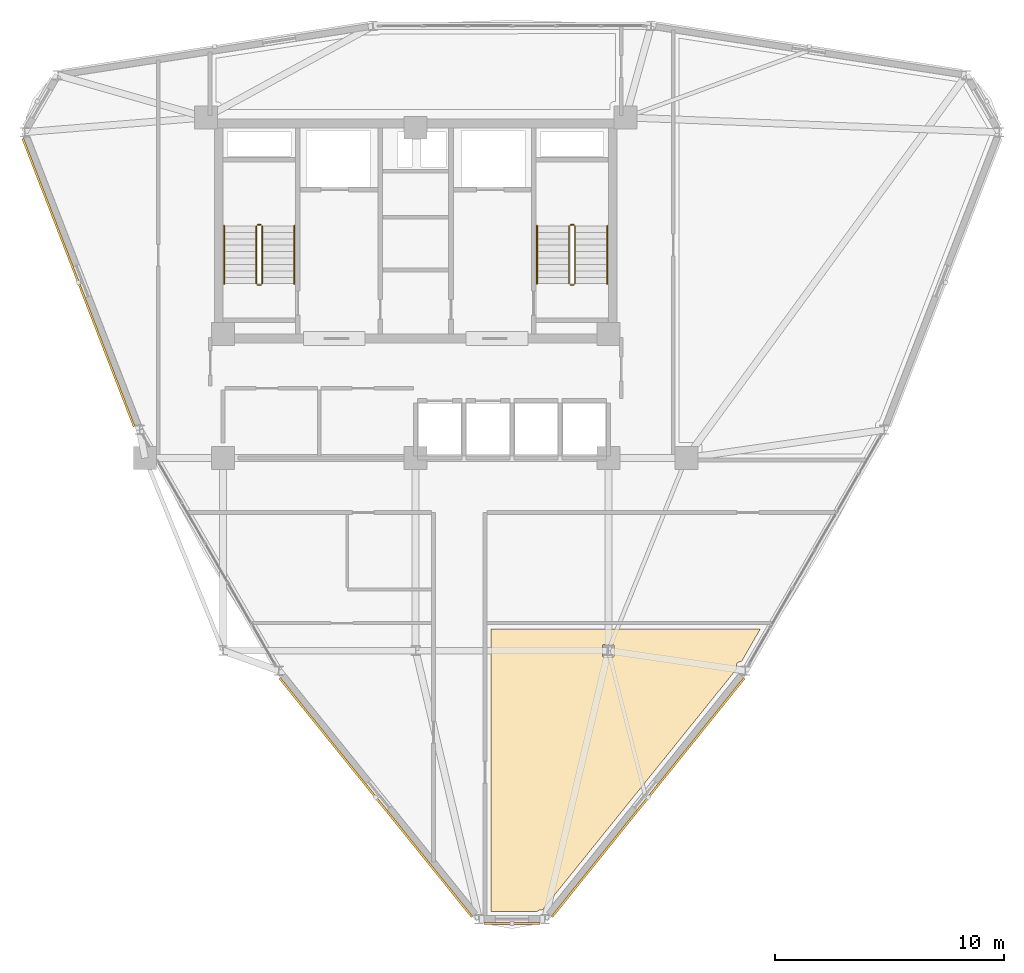
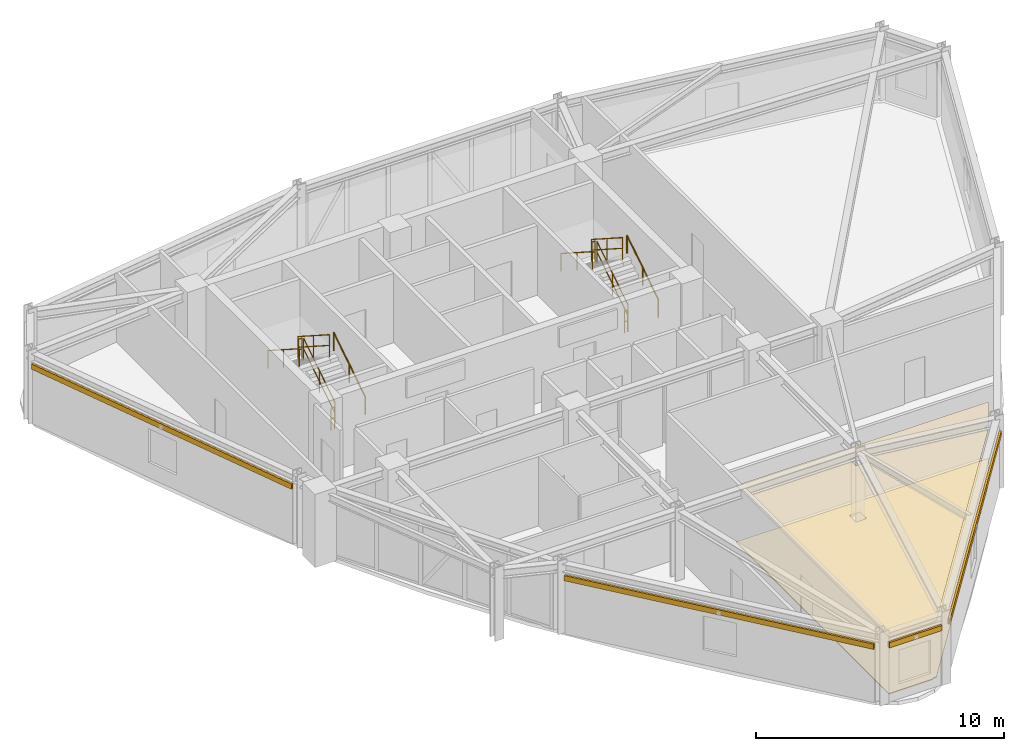
# One storey, part 15 of 16: 12 railings, 4 shading devices, 2 coverings.
"""IFC4 building model written with IfcOpenShell, lengths in metres."""

from ifc_helpers import new_model, si_unit, derived_unit, direction, frame, origin, origin_2d, place, context, subcontext, project, spatial, polyline, hollow_rectangle, circle, outline, extrude, source, transform, mapped, material, layer, layer_set, material_profile, profile_set, type_object, element, save


model = new_model("IFC4")

# Units and contexts
model_context = context("Model", 3, precision=1e-05, world=origin(), true_north=direction((0.0, 1.0)))
body_context = subcontext(model_context, "Body", "Model", "MODEL_VIEW")
ifc_project = project(units=[si_unit("LENGTHUNIT", "METRE"), si_unit("AREAUNIT", "SQUARE_METRE"), si_unit("VOLUMEUNIT", "CUBIC_METRE"), si_unit("PLANEANGLEUNIT", "RADIAN"), si_unit("MASSUNIT", "GRAM", prefix="KILO"), derived_unit("THERMALTRANSMITTANCEUNIT", [(si_unit("POWERUNIT", "WATT"), 1), (si_unit("LENGTHUNIT", "METRE"), -2), (si_unit("THERMODYNAMICTEMPERATUREUNIT", "KELVIN"), -1)])], contexts=[model_context])

# Site, building, storey
site_placement = place(None, origin())
site = spatial("IfcSite", under=ifc_project, at=site_placement, CompositionType="ELEMENT")
building_placement = place(site_placement, origin())
building = spatial("IfcBuilding", under=site, at=building_placement, Name="Korsvarv Bourse and Concert Hall", CompositionType="ELEMENT")
storey_placement = place(building_placement, frame((0.0, 0.0, 231.0)))
storey = spatial("IfcBuildingStorey", under=building, at=storey_placement, Name="L60", CompositionType="ELEMENT", Elevation=231.0)

# Coverings
ifc_material_1 = material(Name="Perforated mineral-wool and birch acoustic baffle ceiling", Category="wood")
ifc_layer_1 = layer(ifc_material_1, 0.02490234375)
ifc_layer_set_1 = layer_set([ifc_layer_1], Name="Perforated mineral-wool and birch acoustic baffle ceiling")
covering_type_1 = type_object("IfcCoveringType", Name="COV-CEIL-1", PredefinedType="CEILING", material=ifc_layer_set_1)
covering_1_placement = place(storey_placement, frame((0.0, 0.0, 2.7900390625)))
element("IfcCovering", 1, at=covering_1_placement, inside=storey, type_object=covering_type_1, Name="L60 acoustic baffle ceiling 2", PredefinedType="CEILING", context=body_context, shape_type="SweptSolid", body=[
    extrude(outline(polyline([(51.026611328125, 24.949951171875), (50.20556640625, 23.52783203125), (50.165283203125, 23.52783203125), (50.131103515625, 23.5244140625), (50.09814453125, 23.514892578125), (50.06787109375, 23.4990234375), (50.040771484375, 23.477783203125), (50.018310546875, 23.451904296875), (50.00146484375, 23.422119140625), (49.990234375, 23.3896484375), (49.985595703125, 23.355712890625), (49.97802734375, 23.1875), (41.5224609375, 12.694091796875), (41.435302734375, 12.694091796875), (41.399658203125, 12.6904296875), (41.365234375, 12.679931640625), (41.333740234375, 12.66259765625), (41.306396484375, 12.639404296875), (39.280029296875, 12.635986328125), (39.280029296875, 24.949951171875), (51.026611328125, 24.949951171875)]), holes=[polyline([(44.179443359375, 23.734619140625), (44.60595703125, 23.732421875), (44.629638671875, 23.73828125), (44.647705078125, 23.754638671875), (44.65576171875, 23.777587890625), (44.656005859375, 24.217529296875), (44.650146484375, 24.2412109375), (44.6337890625, 24.259033203125), (44.61083984375, 24.267333984375), (44.194091796875, 24.267578125), (44.17041015625, 24.26171875), (44.15234375, 24.245361328125), (44.144287109375, 24.222412109375), (44.14404296875, 23.782470703125), (44.14990234375, 23.7587890625), (44.179443359375, 23.734619140625)])]), origin(), (0.0, 0.0, 1.0), 0.02490234375),
])
ifc_material_2 = material(Name="Calcium-sulphate raised access trading floor with Nordic oak top", Category="wood")
ifc_layer_2 = layer(ifc_material_2, 0.0400390625)
ifc_layer_set_2 = layer_set([ifc_layer_2], Name="Calcium-sulphate raised access trading floor with Nordic oak top")
covering_type_2 = type_object("IfcCoveringType", Name="COV-FLOR-1", PredefinedType="FLOORING", material=ifc_layer_set_2)
covering_2_placement = place(storey_placement, origin())
element("IfcCovering", 2, at=covering_2_placement, inside=storey, type_object=covering_type_2, Name="L60 raised access oak floor finish 2", PredefinedType="FLOORING", context=body_context, shape_type="SweptSolid", body=[
    extrude(outline(polyline([(51.026611328125, 24.949951171875), (50.20556640625, 23.52783203125), (50.165283203125, 23.52783203125), (50.131103515625, 23.5244140625), (50.09814453125, 23.514892578125), (50.06787109375, 23.4990234375), (50.040771484375, 23.477783203125), (50.018310546875, 23.451904296875), (50.00146484375, 23.422119140625), (49.990234375, 23.3896484375), (49.985595703125, 23.355712890625), (49.97802734375, 23.1875), (41.5224609375, 12.694091796875), (41.435302734375, 12.694091796875), (41.399658203125, 12.6904296875), (41.365234375, 12.679931640625), (41.333740234375, 12.66259765625), (41.306396484375, 12.639404296875), (39.280029296875, 12.635986328125), (39.280029296875, 24.949951171875), (51.026611328125, 24.949951171875)]), holes=[polyline([(44.179443359375, 23.734619140625), (44.60595703125, 23.732421875), (44.629638671875, 23.73828125), (44.647705078125, 23.754638671875), (44.65576171875, 23.777587890625), (44.656005859375, 24.217529296875), (44.650146484375, 24.2412109375), (44.6337890625, 24.259033203125), (44.61083984375, 24.267333984375), (44.194091796875, 24.267578125), (44.17041015625, 24.26171875), (44.15234375, 24.245361328125), (44.144287109375, 24.222412109375), (44.14404296875, 23.782470703125), (44.14990234375, 23.7587890625), (44.179443359375, 23.734619140625)])]), origin(), (0.0, 0.0, 1.0), 0.0400390625),
])

# Railings
ifc_material_3 = material(Name="Painted Steel S355 stair well guardrail", Category="steel")
railing_type_1 = type_object("IfcRailingType", Name="RL-ST-GRD", PredefinedType="GUARDRAIL", material=ifc_material_3)
railing_1_placement = place(storey_placement, frame((29.31005859375, 40.0, 0.179931640625)))
element("IfcRailing", 3, at=railing_1_placement, inside=storey, type_object=railing_type_1, Name="L60 ST-T1 stair guard 1", PredefinedType="GUARDRAIL", context=body_context, shape_type="SweptSolid", body=[
    extrude(circle(Radius=0.02392578125, at=origin_2d()), frame((0.0, 0.0, 1.076171875), z_axis=(0.0, 0.841162588446, 0.540782303519), x_axis=(-1.0, 0.0, 0.0)), (0.0, 0.0, 1.0), 2.995849609375),
    extrude(circle(Radius=0.02392578125, at=origin_2d()), frame((0.0, 0.0, 0.550048828125), z_axis=(0.0, 0.841162588446, 0.540782303519), x_axis=(-1.0, 0.0, 0.0)), (0.0, 0.0, 1.0), 2.995849609375),
    extrude(circle(Radius=0.02099609375, at=origin_2d()), origin(), (0.0, 0.0, 1.0), 1.052001953125),
    extrude(circle(Radius=0.02099609375, at=origin_2d()), frame((0.0, 1.260009765625, 0.81005859375)), (0.0, 0.0, 1.0), 1.052001953125),
    extrude(circle(Radius=0.02099609375, at=origin_2d()), frame((0.0, 2.52001953125, 1.6201171875)), (0.0, 0.0, 1.0), 1.052001953125),
])
railing_2_placement = place(storey_placement, frame((29.260009765625, 42.570068359375, 1.800048828125)))
element("IfcRailing", 4, at=railing_2_placement, inside=storey, type_object=railing_type_1, Name="L60 ST-T1 stair guard 2", PredefinedType="GUARDRAIL", context=body_context, shape_type="SweptSolid", body=[
    extrude(circle(Radius=0.02392578125, at=origin_2d()), frame((0.0, 0.0, 1.076171875), z_axis=(-1.0, 0.0, 0.0), x_axis=(0.0, -1.0, 0.0)), (0.0, 0.0, 1.0), 0.159912109375),
    extrude(circle(Radius=0.02392578125, at=origin_2d()), frame((0.0, 0.0, 0.550048828125), z_axis=(-1.0, 0.0, 0.0), x_axis=(0.0, -1.0, 0.0)), (0.0, 0.0, 1.0), 0.159912109375),
    extrude(circle(Radius=0.02099609375, at=origin_2d()), origin(), (0.0, 0.0, 1.0), 1.052001953125),
    extrude(circle(Radius=0.02099609375, at=origin_2d()), frame((-0.159912109375, 0.0, 0.0)), (0.0, 0.0, 1.0), 1.052001953125),
])
railing_3_placement = place(storey_placement, frame((29.050048828125, 42.52001953125, 1.97998046875)))
element("IfcRailing", 5, at=railing_3_placement, inside=storey, type_object=railing_type_1, Name="L60 ST-T1 stair guard 3", PredefinedType="GUARDRAIL", context=body_context, shape_type="SweptSolid", body=[
    extrude(circle(Radius=0.02392578125, at=origin_2d()), frame((0.0, 0.0, 1.076171875), z_axis=(0.0, -0.841162588446, 0.540782303519), x_axis=(1.0, 0.0, 0.0)), (0.0, 0.0, 1.0), 2.995849609375),
    extrude(circle(Radius=0.02392578125, at=origin_2d()), frame((0.0, 0.0, 0.550048828125), z_axis=(0.0, -0.841162588446, 0.540782303519), x_axis=(1.0, 0.0, 0.0)), (0.0, 0.0, 1.0), 2.995849609375),
    extrude(circle(Radius=0.02099609375, at=origin_2d()), origin(), (0.0, 0.0, 1.0), 1.052001953125),
    extrude(circle(Radius=0.02099609375, at=origin_2d()), frame((0.0, -1.260009765625, 0.81005859375)), (0.0, 0.0, 1.0), 1.052001953125),
    extrude(circle(Radius=0.02099609375, at=origin_2d()), frame((0.0, -2.52001953125, 1.6201171875)), (0.0, 0.0, 1.0), 1.052001953125),
])
railing_4_placement = place(storey_placement, frame((29.260009765625, 39.949951171875, 0.0)))
element("IfcRailing", 6, at=railing_4_placement, inside=storey, type_object=railing_type_1, Name="L60 ST-T1 stair guard 4", PredefinedType="GUARDRAIL", context=body_context, shape_type="SweptSolid", body=[
    extrude(circle(Radius=0.02392578125, at=origin_2d()), frame((0.0, 0.0, 1.076171875), z_axis=(-1.0, 0.0, 0.0), x_axis=(0.0, -1.0, 0.0)), (0.0, 0.0, 1.0), 0.159912109375),
    extrude(circle(Radius=0.02392578125, at=origin_2d()), frame((0.0, 0.0, 0.550048828125), z_axis=(-1.0, 0.0, 0.0), x_axis=(0.0, -1.0, 0.0)), (0.0, 0.0, 1.0), 0.159912109375),
    extrude(circle(Radius=0.02099609375, at=origin_2d()), origin(), (0.0, 0.0, 1.0), 1.052001953125),
    extrude(circle(Radius=0.02099609375, at=origin_2d()), frame((-0.159912109375, 0.0, 0.0)), (0.0, 0.0, 1.0), 1.052001953125),
])
railing_5_placement = place(storey_placement, frame((42.949951171875, 40.0, 0.179931640625)))
element("IfcRailing", 7, at=railing_5_placement, inside=storey, type_object=railing_type_1, Name="L60 ST-T2 stair guard 1", PredefinedType="GUARDRAIL", context=body_context, shape_type="SweptSolid", body=[
    extrude(circle(Radius=0.02392578125, at=origin_2d()), frame((0.0, 0.0, 1.076171875), z_axis=(0.0, 0.841162588446, 0.540782303519), x_axis=(-1.0, 0.0, 0.0)), (0.0, 0.0, 1.0), 2.995849609375),
    extrude(circle(Radius=0.02392578125, at=origin_2d()), frame((0.0, 0.0, 0.550048828125), z_axis=(0.0, 0.841162588446, 0.540782303519), x_axis=(-1.0, 0.0, 0.0)), (0.0, 0.0, 1.0), 2.995849609375),
    extrude(circle(Radius=0.02099609375, at=origin_2d()), origin(), (0.0, 0.0, 1.0), 1.052001953125),
    extrude(circle(Radius=0.02099609375, at=origin_2d()), frame((0.0, 1.260009765625, 0.81005859375)), (0.0, 0.0, 1.0), 1.052001953125),
    extrude(circle(Radius=0.02099609375, at=origin_2d()), frame((0.0, 2.52001953125, 1.6201171875)), (0.0, 0.0, 1.0), 1.052001953125),
])
railing_6_placement = place(storey_placement, frame((42.89990234375, 42.570068359375, 1.800048828125)))
element("IfcRailing", 8, at=railing_6_placement, inside=storey, type_object=railing_type_1, Name="L60 ST-T2 stair guard 2", PredefinedType="GUARDRAIL", context=body_context, shape_type="SweptSolid", body=[
    extrude(circle(Radius=0.02392578125, at=origin_2d()), frame((0.0, 0.0, 1.076171875), z_axis=(-1.0, 0.0, 0.0), x_axis=(0.0, -1.0, 0.0)), (0.0, 0.0, 1.0), 0.159912109375),
    extrude(circle(Radius=0.02392578125, at=origin_2d()), frame((0.0, 0.0, 0.550048828125), z_axis=(-1.0, 0.0, 0.0), x_axis=(0.0, -1.0, 0.0)), (0.0, 0.0, 1.0), 0.159912109375),
    extrude(circle(Radius=0.02099609375, at=origin_2d()), origin(), (0.0, 0.0, 1.0), 1.052001953125),
    extrude(circle(Radius=0.02099609375, at=origin_2d()), frame((-0.159912109375, 0.0, 0.0)), (0.0, 0.0, 1.0), 1.052001953125),
])
railing_7_placement = place(storey_placement, frame((42.68994140625, 42.52001953125, 1.97998046875)))
element("IfcRailing", 9, at=railing_7_placement, inside=storey, type_object=railing_type_1, Name="L60 ST-T2 stair guard 3", PredefinedType="GUARDRAIL", context=body_context, shape_type="SweptSolid", body=[
    extrude(circle(Radius=0.02392578125, at=origin_2d()), frame((0.0, 0.0, 1.076171875), z_axis=(0.0, -0.841162588446, 0.540782303519), x_axis=(1.0, 0.0, 0.0)), (0.0, 0.0, 1.0), 2.995849609375),
    extrude(circle(Radius=0.02392578125, at=origin_2d()), frame((0.0, 0.0, 0.550048828125), z_axis=(0.0, -0.841162588446, 0.540782303519), x_axis=(1.0, 0.0, 0.0)), (0.0, 0.0, 1.0), 2.995849609375),
    extrude(circle(Radius=0.02099609375, at=origin_2d()), origin(), (0.0, 0.0, 1.0), 1.052001953125),
    extrude(circle(Radius=0.02099609375, at=origin_2d()), frame((0.0, -1.260009765625, 0.81005859375)), (0.0, 0.0, 1.0), 1.052001953125),
    extrude(circle(Radius=0.02099609375, at=origin_2d()), frame((0.0, -2.52001953125, 1.6201171875)), (0.0, 0.0, 1.0), 1.052001953125),
])
railing_8_placement = place(storey_placement, frame((42.89990234375, 39.949951171875, 0.0)))
element("IfcRailing", 10, at=railing_8_placement, inside=storey, type_object=railing_type_1, Name="L60 ST-T2 stair guard 4", PredefinedType="GUARDRAIL", context=body_context, shape_type="SweptSolid", body=[
    extrude(circle(Radius=0.02392578125, at=origin_2d()), frame((0.0, 0.0, 1.076171875), z_axis=(-1.0, 0.0, 0.0), x_axis=(0.0, -1.0, 0.0)), (0.0, 0.0, 1.0), 0.159912109375),
    extrude(circle(Radius=0.02392578125, at=origin_2d()), frame((0.0, 0.0, 0.550048828125), z_axis=(-1.0, 0.0, 0.0), x_axis=(0.0, -1.0, 0.0)), (0.0, 0.0, 1.0), 0.159912109375),
    extrude(circle(Radius=0.02099609375, at=origin_2d()), origin(), (0.0, 0.0, 1.0), 1.052001953125),
    extrude(circle(Radius=0.02099609375, at=origin_2d()), frame((-0.159912109375, 0.0, 0.0)), (0.0, 0.0, 1.0), 1.052001953125),
])
ifc_material_4 = material(Name="Brushed stainless Steel S355 tubular handrail", Category="steel")
railing_type_2 = type_object("IfcRailingType", Name="RL-ST-HND", PredefinedType="HANDRAIL", material=ifc_material_4)
railing_9_placement = place(storey_placement, frame((30.7099609375, 40.0, 0.179931640625)))
element("IfcRailing", 11, at=railing_9_placement, inside=storey, type_object=railing_type_2, Name="L60 ST-T1 stair handrail 1", PredefinedType="HANDRAIL", context=body_context, shape_type="SweptSolid", body=[
    extrude(circle(Radius=0.02392578125, at=origin_2d()), frame((0.0, 0.0, 0.8759765625), z_axis=(0.0, 0.841162588446, 0.540782303519), x_axis=(-1.0, 0.0, 0.0)), (0.0, 0.0, 1.0), 2.995849609375),
    extrude(circle(Radius=0.02099609375, at=origin_2d()), origin(), (0.0, 0.0, 1.0), 0.851806640625),
    extrude(circle(Radius=0.02099609375, at=origin_2d()), frame((0.0, 1.260009765625, 0.81005859375)), (0.0, 0.0, 1.0), 0.851806640625),
    extrude(circle(Radius=0.02099609375, at=origin_2d()), frame((0.0, 2.52001953125, 1.6201171875)), (0.0, 0.0, 1.0), 0.851806640625),
])
railing_10_placement = place(storey_placement, frame((27.64990234375, 42.52001953125, 1.97998046875)))
element("IfcRailing", 12, at=railing_10_placement, inside=storey, type_object=railing_type_2, Name="L60 ST-T1 stair handrail 2", PredefinedType="HANDRAIL", context=body_context, shape_type="SweptSolid", body=[
    extrude(circle(Radius=0.02392578125, at=origin_2d()), frame((0.0, 0.0, 0.8759765625), z_axis=(0.0, -0.841162588446, 0.540782303519), x_axis=(1.0, 0.0, 0.0)), (0.0, 0.0, 1.0), 2.995849609375),
    extrude(circle(Radius=0.02099609375, at=origin_2d()), origin(), (0.0, 0.0, 1.0), 0.851806640625),
    extrude(circle(Radius=0.02099609375, at=origin_2d()), frame((0.0, -1.260009765625, 0.81005859375)), (0.0, 0.0, 1.0), 0.851806640625),
    extrude(circle(Radius=0.02099609375, at=origin_2d()), frame((0.0, -2.52001953125, 1.6201171875)), (0.0, 0.0, 1.0), 0.851806640625),
])
railing_11_placement = place(storey_placement, frame((44.35009765625, 40.0, 0.179931640625)))
element("IfcRailing", 13, at=railing_11_placement, inside=storey, type_object=railing_type_2, Name="L60 ST-T2 stair handrail 1", PredefinedType="HANDRAIL", context=body_context, shape_type="SweptSolid", body=[
    extrude(circle(Radius=0.02392578125, at=origin_2d()), frame((0.0, 0.0, 0.8759765625), z_axis=(0.0, 0.841162588446, 0.540782303519), x_axis=(-1.0, 0.0, 0.0)), (0.0, 0.0, 1.0), 2.995849609375),
    extrude(circle(Radius=0.02099609375, at=origin_2d()), origin(), (0.0, 0.0, 1.0), 0.851806640625),
    extrude(circle(Radius=0.02099609375, at=origin_2d()), frame((0.0, 1.260009765625, 0.81005859375)), (0.0, 0.0, 1.0), 0.851806640625),
    extrude(circle(Radius=0.02099609375, at=origin_2d()), frame((0.0, 2.52001953125, 1.6201171875)), (0.0, 0.0, 1.0), 0.851806640625),
])
railing_12_placement = place(storey_placement, frame((41.2900390625, 42.52001953125, 1.97998046875)))
element("IfcRailing", 14, at=railing_12_placement, inside=storey, type_object=railing_type_2, Name="L60 ST-T2 stair handrail 2", PredefinedType="HANDRAIL", context=body_context, shape_type="SweptSolid", body=[
    extrude(circle(Radius=0.02392578125, at=origin_2d()), frame((0.0, 0.0, 0.8759765625), z_axis=(0.0, -0.841162588446, 0.540782303519), x_axis=(1.0, 0.0, 0.0)), (0.0, 0.0, 1.0), 2.995849609375),
    extrude(circle(Radius=0.02099609375, at=origin_2d()), origin(), (0.0, 0.0, 1.0), 0.851806640625),
    extrude(circle(Radius=0.02099609375, at=origin_2d()), frame((0.0, -1.260009765625, 0.81005859375)), (0.0, 0.0, 1.0), 0.851806640625),
    extrude(circle(Radius=0.02099609375, at=origin_2d()), frame((0.0, -2.52001953125, 1.6201171875)), (0.0, 0.0, 1.0), 0.851806640625),
])

# Shading devices
ifc_material_5 = material(Name="Glazed extruded architectural terracotta", Category="ceramic")
ifc_material_profile = material_profile(ifc_material_5, hollow_rectangle(XDim=0.090087890625, YDim=0.260009765625, WallThickness=0.011962890625, at=origin_2d()), Name="TC-BAG 90x260")
ifc_profile_set = profile_set([ifc_material_profile], Name="Glazed extruded architectural terracotta")
shading_device_type = type_object("IfcShadingDeviceType", Name="SHD-BAG-1", PredefinedType="USERDEFINED", material=ifc_profile_set)
shared_shape_1 = source(origin(), body_context, "Body", "SweptSolid", [
    extrude(hollow_rectangle(XDim=0.090087890625, YDim=0.260009765625, WallThickness=0.011962890625, at=origin_2d()), origin(), (0.0, 0.0, 1.0), 13.45654296875),
])
shading_device_1_placement = place(storey_placement, frame((18.871826171875, 46.330078125, 2.860107421875), z_axis=(0.360611311211, -0.93271618525, 0.0), x_axis=(0.93271618525, 0.360611311211, 0.0)))
element("IfcShadingDevice", 15, at=shading_device_1_placement, inside=storey, type_object=shading_device_type, Name="L60 terracotta baguette sunshade EW-L60-B06", ObjectType="BAGUETTE", PredefinedType="USERDEFINED", context=body_context, shape_type="MappedRepresentation", body=[
    mapped(shared_shape_1, transform((0.0, 0.0, 0.0), scale=1.0)),
])
shared_shape_2 = source(origin(), body_context, "Body", "SweptSolid", [
    extrude(hollow_rectangle(XDim=0.090087890625, YDim=0.260009765625, WallThickness=0.011962890625, at=origin_2d()), origin(), (0.0, 0.0, 1.0), 13.3662109375),
])
for number, where, z_axis, x_axis, name in (
    (16, (30.06689453125, 22.806884765625, 2.800048828125), (0.627462149304, -0.778647064587, 0.0), (0.778647064587, 0.627462149304, 0.0), "L60 terracotta baguette sunshade EW-L60-B08"),
    (17, (41.9462890625, 12.3994140625, 2.800048828125), (0.627462149304, 0.778647064587, 0.0), (-0.778647064587, 0.627462149304, 0.0), "L60 terracotta baguette sunshade EW-L60-B10"),
):
    element("IfcShadingDevice", number, at=place(storey_placement, frame(where, z_axis=z_axis, x_axis=x_axis)), inside=storey, type_object=shading_device_type, Name=name, ObjectType="BAGUETTE", PredefinedType="USERDEFINED", context=body_context, shape_type="MappedRepresentation", body=[
        mapped(shared_shape_2, transform((0.0, 0.0, 0.0), scale=1.0)),
    ])
shared_shape_3 = source(origin(), body_context, "Body", "SweptSolid", [
    extrude(hollow_rectangle(XDim=0.090087890625, YDim=0.260009765625, WallThickness=0.011962890625, at=origin_2d()), origin(), (0.0, 0.0, 1.0), 2.4609375),
])
shading_device_2_placement = place(storey_placement, frame((38.969482421875, 12.111083984375, 2.860107421875), z_axis=(1.0, 0.0, 0.0), x_axis=(0.0, 1.0, 0.0)))
element("IfcShadingDevice", 18, at=shading_device_2_placement, inside=storey, type_object=shading_device_type, Name="L60 terracotta baguette sunshade EW-L60-B09", ObjectType="BAGUETTE", PredefinedType="USERDEFINED", context=body_context, shape_type="MappedRepresentation", body=[
    mapped(shared_shape_3, transform((0.0, 0.0, 0.0), scale=1.0)),
])

save(model, "model.ifc")
